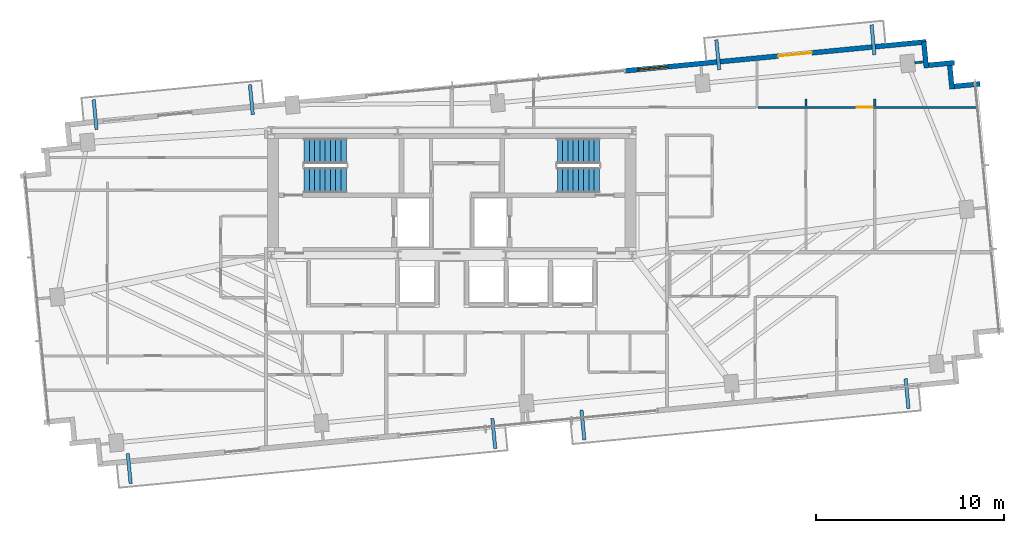
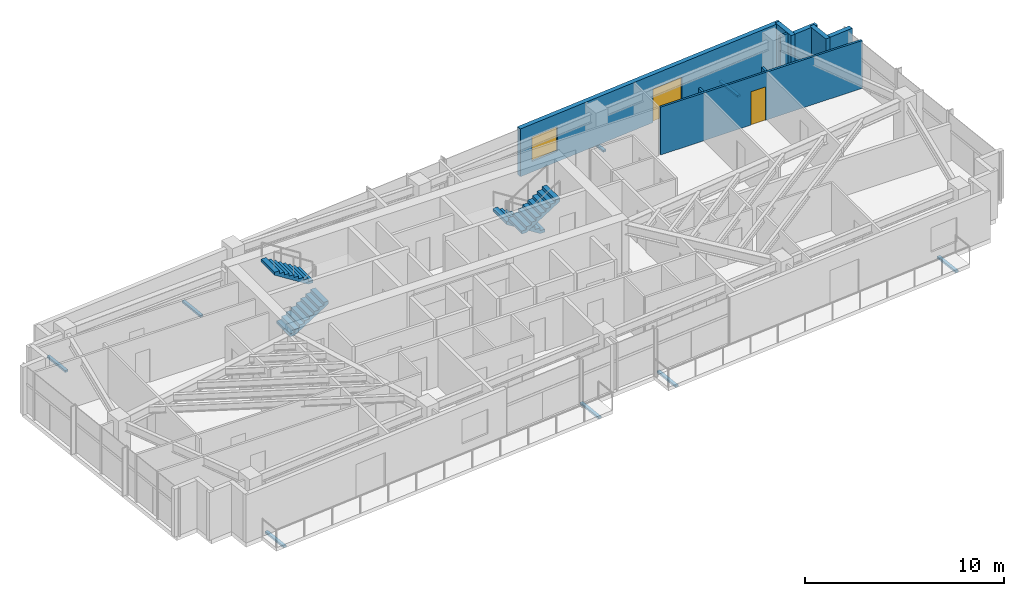
# One storey, part 16 of 18: 9 walls, 8 discrete accessories, 4 stair flights, 2 doors, 1 window, 3 openings, 2 elements without a shape of their own.
"""IFC4 building model written with IfcOpenShell, lengths in metres."""

from ifc_helpers import new_model, si_unit, direction, frame, frame_2d, origin, origin_2d, place, context, subcontext, project, spatial, polyline, rectangle, outline, extrude, source, transform, mapped, material, layer, layer_set, type_object, type_shapes, element, fill, aggregate, save


model = new_model("IFC4")

# Units and contexts
model_context = context("Model", 3, precision=1e-05, world=origin(), true_north=direction((0.0, 1.0)))
body_context = subcontext(model_context, "Body", "Model", "MODEL_VIEW")
ifc_project = project(units=[si_unit("LENGTHUNIT", "METRE"), si_unit("AREAUNIT", "SQUARE_METRE"), si_unit("VOLUMEUNIT", "CUBIC_METRE"), si_unit("PLANEANGLEUNIT", "RADIAN"), si_unit("MASSUNIT", "GRAM", prefix="KILO")], contexts=[model_context])

# Site, building, storey
site_placement = place(None, origin())
site = spatial("IfcSite", under=ifc_project, at=site_placement, CompositionType="ELEMENT")
building_placement = place(site_placement, origin())
building = spatial("IfcBuilding", under=site, at=building_placement, Name="Astriad Promenade Condominiums", CompositionType="ELEMENT")
storey_placement = place(building_placement, frame((0.0, 0.0, 185.800048828125)))
storey = spatial("IfcBuildingStorey", under=building, at=storey_placement, Name="L53", CompositionType="ELEMENT", Elevation=185.800048828125)

# Wall, openings, door, window
ifc_material_1 = material(Name="Precast concrete C50/60", Category="concrete")
ifc_layer_1 = layer(ifc_material_1, 0.260009765625)
ifc_layer_set_1 = layer_set([ifc_layer_1], Name="Precast concrete C50/60")
wall_type_1 = type_object("IfcWallType", Name="WALL-EXT-TWR-260", PredefinedType="STANDARD", material=ifc_layer_set_1)
wall_1_placement = place(storey_placement, frame((45.198974609375, 27.189697265625, 0.0), z_axis=(0.0, 0.0, 1.0), x_axis=(0.995397074604, 0.095836652014, 0.0)))
wall_1 = element("IfcWall", 1, at=wall_1_placement, inside=storey, type_object=wall_type_1, Name="W-EXT-L53-N2", PredefinedType="STANDARD", context=body_context, shape_type="SweptSolid", body=[
    extrude(rectangle(XDim=16.10009765625, YDim=0.260009765625, at=frame_2d((8.050048828125, 0.0))), origin(), (0.0, 0.0, 1.0), 2.93994140625),
])
opening_1_placement = place(wall_1_placement, frame((8.18994140625, 0.0, 0.0)))
opening_1 = element("IfcOpeningElement", 2, at=opening_1_placement, cuts=wall_1, Name="Opening BD-1822-SLD", PredefinedType="OPENING", context=body_context, shape_type="SweptSolid", body=[
    extrude(rectangle(XDim=1.800048828125, YDim=2.06005859375, at=frame_2d((0.89990234375, 1.030029296875))), frame((0.0, 0.139892578125, 0.0), z_axis=(0.0, -1.0, 0.0), x_axis=(1.0, 0.0, 0.0)), (0.0, 0.0, 1.0), 0.280029296875),
])
opening_2_placement = place(wall_1_placement, frame((0.699951171875, 0.0, 0.64990234375)))
opening_2 = element("IfcOpeningElement", 3, at=opening_2_placement, cuts=wall_1, Name="Opening WIN-TWR-1620", PredefinedType="OPENING", context=body_context, shape_type="SweptSolid", body=[
    extrude(rectangle(XDim=1.60009765625, YDim=1.5, at=frame_2d((0.800048828125, 0.75))), frame((0.0, 0.139892578125, 0.0), z_axis=(0.0, -1.0, 0.0), x_axis=(1.0, 0.0, 0.0)), (0.0, 0.0, 1.0), 0.280029296875),
])
ifc_material_2 = material(Name="Thermally Broken Aluminium Sliding Balcony Door", Category="aluminium")
door_type_1 = type_object("IfcDoorType", Name="BD-1822-SLD", OperationType="NOTDEFINED", PredefinedType="DOOR", material=ifc_material_2)
shared_shape_1 = source(origin(), body_context, "Body", "SweptSolid", [
    extrude(rectangle(XDim=1.800048828125, YDim=2.06005859375, at=frame_2d((0.89990234375, 1.030029296875))), frame((0.0, 0.02490234375, 0.0), z_axis=(0.0, -1.0, 0.0), x_axis=(1.0, 0.0, 0.0)), (0.0, 0.0, 1.0), 0.050048828125),
])
type_shapes(door_type_1, [shared_shape_1])
door_1_placement = place(opening_1_placement, origin())
door_1 = element("IfcDoor", 4, at=door_1_placement, inside=storey, type_object=door_type_1, Name="BD-L53-NE", OperationType="SLIDING_TO_RIGHT", OverallHeight=2.06005859375, OverallWidth=1.800048828125, PredefinedType="DOOR", context=body_context, shape_type="MappedRepresentation", body=[
    mapped(shared_shape_1, transform((0.0, 0.0, 0.0), scale=1.0)),
])
fill(opening_1, door_1)
ifc_material_3 = material(Name="Dark Tinted Triple-Glazed Aluminium Window", Category="aluminium")
window_type = type_object("IfcWindowType", Name="WIN-TWR-1620", PartitioningType="SINGLE_PANEL", PredefinedType="WINDOW", material=ifc_material_3)
shared_shape_2 = source(origin(), body_context, "Body", "SweptSolid", [
    extrude(rectangle(XDim=1.60009765625, YDim=1.5, at=frame_2d((0.800048828125, 0.75))), frame((0.0, 0.030029296875, 0.0), z_axis=(0.0, -1.0, 0.0), x_axis=(1.0, 0.0, 0.0)), (0.0, 0.0, 1.0), 0.06005859375),
])
type_shapes(window_type, [shared_shape_2])
window_placement = place(opening_2_placement, origin())
window = element("IfcWindow", 5, at=window_placement, inside=storey, type_object=window_type, Name="WIN-L53-NE", OverallHeight=1.5, OverallWidth=1.60009765625, PartitioningType="SINGLE_PANEL", PredefinedType="WINDOW", context=body_context, shape_type="MappedRepresentation", body=[
    mapped(shared_shape_2, transform((0.0, 0.0, 0.0), scale=1.0)),
])
fill(opening_2, window)

# Walls
wall_2_placement = place(storey_placement, frame((61.093994140625, 28.735107421875, 0.0), z_axis=(0.0, 0.0, 1.0), x_axis=(0.095742423056, -0.99540614245, 0.0)))
element("IfcWall", 6, at=wall_2_placement, inside=storey, type_object=wall_type_1, Name="W-SER-L53-09", PredefinedType="STANDARD", context=body_context, shape_type="SweptSolid", body=[
    extrude(rectangle(XDim=1.394775390625, YDim=0.260009765625, at=frame_2d((0.697265625, 0.0))), origin(), (0.0, 0.0, 1.0), 2.93994140625),
])
wall_3_placement = place(storey_placement, frame((61.32958984375, 27.487060546875, 0.0), z_axis=(0.0, 0.0, 1.0), x_axis=(0.995391056452, 0.09589913835, 0.0)))
element("IfcWall", 7, at=wall_3_placement, inside=storey, type_object=wall_type_1, Name="W-SER-L53-10", PredefinedType="STANDARD", context=body_context, shape_type="SweptSolid", body=[
    extrude(rectangle(XDim=1.39501953125, YDim=0.260009765625, at=frame_2d((0.697509765625, 0.0))), origin(), (0.0, 0.0, 1.0), 2.93994140625),
])
for number, where, z_axis, x_axis, name in (
    (8, (62.4580078125, 27.610595703125, 0.0), (0.0, 0.0, 1.0), (0.095915846097, -0.995389446633, 0.0), "W-SER-L53-11"),
    (9, (62.69384765625, 26.362548828125, 0.0), (0.0, 0.0, 1.0), (0.995389446633, 0.095915846097, 0.0), "W-SER-L53-12"),
):
    element("IfcWall", number, at=place(storey_placement, frame(where, z_axis=z_axis, x_axis=x_axis)), inside=storey, type_object=wall_type_1, Name=name, PredefinedType="STANDARD", context=body_context, shape_type="SweptSolid", body=[
        extrude(rectangle(XDim=1.394775390625, YDim=0.260009765625, at=frame_2d((0.697265625, 0.0))), origin(), (0.0, 0.0, 1.0), 2.93994140625),
    ])

# Wall, opening, door
ifc_material_4 = material(Name="Acoustic Metal-Stud Gypsum Partition")
ifc_layer_2 = layer(ifc_material_4, 0.1201171875)
ifc_layer_set_2 = layer_set([ifc_layer_2], Name="Acoustic Metal-Stud Gypsum Partition")
wall_type_2 = type_object("IfcWallType", Name="WALL-PART-120", PredefinedType="PARTITIONING", material=ifc_layer_set_2)
wall_4_placement = place(storey_placement, frame((52.280029296875, 25.2470703125, 0.0), z_axis=(0.0, 0.0, 1.0), x_axis=(1.0, 0.0, 0.0)))
wall_4 = element("IfcWall", 10, at=wall_4_placement, inside=storey, type_object=wall_type_2, Name="PT-L53-E2-B1-S3", PredefinedType="PARTITIONING", context=body_context, shape_type="SweptSolid", body=[
    extrude(rectangle(XDim=11.711669921875, YDim=0.1201171875, at=frame_2d((5.85595703125, 0.0))), origin(), (0.0, 0.0, 1.0), 2.93994140625),
])
opening_3_placement = place(wall_4_placement, frame((5.2470703125, 0.0, 0.0)))
opening_3 = element("IfcOpeningElement", 11, at=opening_3_placement, cuts=wall_4, Name="Opening D-INT-085", PredefinedType="OPENING", context=body_context, shape_type="SweptSolid", body=[
    extrude(rectangle(XDim=0.85009765625, YDim=2.050048828125, at=frame_2d((0.425048828125, 1.02490234375))), frame((0.0, 0.070068359375, 0.0), z_axis=(0.0, -1.0, 0.0), x_axis=(1.0, 0.0, 0.0)), (0.0, 0.0, 1.0), 0.14013671875),
])
ifc_material_5 = material(Name="Painted Solid-Core Timber Room Door", Category="wood")
door_type_2 = type_object("IfcDoorType", Name="D-INT-085", OperationType="NOTDEFINED", PredefinedType="DOOR", material=ifc_material_5)
shared_shape_3 = source(origin(), body_context, "Body", "SweptSolid", [
    extrude(rectangle(XDim=0.85009765625, YDim=2.050048828125, at=frame_2d((0.425048828125, 1.02490234375))), frame((0.0, 0.02490234375, 0.0), z_axis=(0.0, -1.0, 0.0), x_axis=(1.0, 0.0, 0.0)), (0.0, 0.0, 1.0), 0.050048828125),
])
type_shapes(door_type_2, [shared_shape_3])
door_2_placement = place(opening_3_placement, origin())
door_2 = element("IfcDoor", 12, at=door_2_placement, inside=storey, type_object=door_type_2, Name="D-BD1B-L53-E2", OperationType="SINGLE_SWING_RIGHT", OverallHeight=2.050048828125, OverallWidth=0.85009765625, PredefinedType="DOOR", context=body_context, shape_type="MappedRepresentation", body=[
    mapped(shared_shape_3, transform((0.0, 0.0, 0.0), scale=1.0)),
])
fill(opening_3, door_2)

# Walls
for number, where, z_axis, x_axis, name in (
    (13, (58.488037109375, 25.30908203125, 0.0), (0.0, 0.0, 1.0), (0.0, 1.0, 0.0), "PT-L53-E2-WDV1-S2"),
    (14, (54.824951171875, 25.30908203125, 0.0), (0.0, 0.0, 1.0), (0.0, 1.0, 0.0), "PT-L53-E2-WDV2-S2"),
):
    element("IfcWall", number, at=place(storey_placement, frame(where, z_axis=z_axis, x_axis=x_axis)), inside=storey, type_object=wall_type_2, Name=name, PredefinedType="PARTITIONING", context=body_context, shape_type="SweptSolid", body=[
        extrude(rectangle(XDim=0.3779296875, YDim=0.1201171875, at=frame_2d((0.18896484375, 0.0))), origin(), (0.0, 0.0, 1.0), 2.93994140625),
    ])
wall_5_placement = place(storey_placement, frame((60.60888671875, 27.618408203125, 0.0), z_axis=(0.0, 0.0, 1.0), x_axis=(0.995384576284, 0.09596637586, 0.0)))
element("IfcWall", 15, at=wall_5_placement, inside=storey, type_object=wall_type_2, Name="PT-PIL-L53-PC10-17", PredefinedType="PARTITIONING", context=body_context, shape_type="SweptSolid", body=[
    extrude(rectangle(XDim=0.4580078125, YDim=0.1201171875, at=frame_2d((0.22900390625, 0.0))), origin(), (0.0, 0.0, 1.0), 2.93994140625),
])

# Stair, stair flights
ifc_material_6 = material(Name="Concrete C50/60", Category="concrete")
stair_type = type_object("IfcStairType", Name="STR-CORE-1350", PredefinedType="HALF_TURN_STAIR", material=ifc_material_6)
stair_1_placement = place(storey_placement, origin())
stair_1 = element("IfcStair", 16, at=stair_1_placement, inside=storey, type_object=stair_type, Name="L53 Enclosed Core Exit Stair ST-1", PredefinedType="HALF_TURN_STAIR")
stair_flight_type = type_object("IfcStairFlightType", Name="SFL-CORE-1350", PredefinedType="STRAIGHT", material=ifc_material_6)
shared_shape_4 = source(origin(), body_context, "Body", "SweptSolid", [
    extrude(outline(polyline([(0.0, 0.0), (0.0, 0.177734375), (0.280029296875, 0.177734375), (0.280029296875, 0.35546875), (0.56005859375, 0.35546875), (0.56005859375, 0.533447265625), (0.840087890625, 0.533447265625), (0.840087890625, 0.711181640625), (1.1201171875, 0.711181640625), (1.1201171875, 0.888916015625), (1.39990234375, 0.888916015625), (1.39990234375, 1.066650390625), (1.679931640625, 1.066650390625), (1.679931640625, 1.244384765625), (1.9599609375, 1.244384765625), (1.9599609375, 1.422119140625), (2.239990234375, 1.422119140625), (2.239990234375, 1.60009765625), (2.239990234375, 1.24462890625), (0.27978515625, 0.0), (0.0, 0.0)])), frame((0.0, 0.675048828125, 0.0), z_axis=(0.0, -1.0, 0.0), x_axis=(1.0, 0.0, 0.0)), (0.0, 0.0, 1.0), 1.35009765625),
])
type_shapes(stair_flight_type, [shared_shape_4])
stair_flight_1_placement = place(storey_placement, frame((28.14990234375, 21.375, 0.0), z_axis=(0.0, 0.0, 1.0), x_axis=(1.0, 0.0, 0.0)))
stair_flight_1 = element("IfcStairFlight", 17, at=stair_flight_1_placement, type_object=stair_flight_type, Name="ST-1 flight 1", NumberOfRisers=9, NumberOfTreads=8, PredefinedType="STRAIGHT", RiserHeight=0.177777778, TreadLength=0.28, context=body_context, shape_type="MappedRepresentation", body=[
    mapped(shared_shape_4, transform((0.0, 0.0, 0.0), scale=1.0)),
])
stair_flight_2_placement = place(storey_placement, frame((30.389892578125, 22.925048828125, 1.599853515625), z_axis=(0.0, 0.0, 1.0), x_axis=(-1.0, 0.0, 0.0)))
stair_flight_2 = element("IfcStairFlight", 18, at=stair_flight_2_placement, type_object=stair_flight_type, Name="ST-1 flight 2", NumberOfRisers=9, NumberOfTreads=8, PredefinedType="STRAIGHT", RiserHeight=0.177777778, TreadLength=0.28, context=body_context, shape_type="MappedRepresentation", body=[
    mapped(shared_shape_4, transform((0.0, 0.0, 0.0), scale=1.0)),
])
aggregate(stair_1, [stair_flight_1, stair_flight_2])

stair_2_placement = place(storey_placement, origin())
stair_2 = element("IfcStair", 19, at=stair_2_placement, inside=storey, type_object=stair_type, Name="L53 Enclosed Core Exit Stair ST-2", PredefinedType="HALF_TURN_STAIR")
stair_flight_3_placement = place(storey_placement, frame((43.85009765625, 22.925048828125, 0.0), z_axis=(0.0, 0.0, 1.0), x_axis=(-1.0, 0.0, 0.0)))
stair_flight_3 = element("IfcStairFlight", 20, at=stair_flight_3_placement, type_object=stair_flight_type, Name="ST-2 flight 1", NumberOfRisers=9, NumberOfTreads=8, PredefinedType="STRAIGHT", RiserHeight=0.177777778, TreadLength=0.28, context=body_context, shape_type="MappedRepresentation", body=[
    mapped(shared_shape_4, transform((0.0, 0.0, 0.0), scale=1.0)),
])
stair_flight_4_placement = place(storey_placement, frame((41.610107421875, 21.375, 1.599853515625), z_axis=(0.0, 0.0, 1.0), x_axis=(1.0, 0.0, 0.0)))
stair_flight_4 = element("IfcStairFlight", 21, at=stair_flight_4_placement, type_object=stair_flight_type, Name="ST-2 flight 2", NumberOfRisers=9, NumberOfTreads=8, PredefinedType="STRAIGHT", RiserHeight=0.177777778, TreadLength=0.28, context=body_context, shape_type="MappedRepresentation", body=[
    mapped(shared_shape_4, transform((0.0, 0.0, 0.0), scale=1.0)),
])
aggregate(stair_2, [stair_flight_3, stair_flight_4])

# Discrete accessories
ifc_material_7 = material(Name="Steel ASTM A572 Grade 50", Category="steel")
discrete_accessory_type = type_object("IfcDiscreteAccessoryType", Name="STEEL BALCONY OUTRIGGER BRACKET", PredefinedType="BRACKET", material=ifc_material_7)
shared_shape_5 = source(origin(), body_context, "Body", "SweptSolid", [
    extrude(rectangle(XDim=1.60009765625, YDim=0.179931640625, at=origin_2d()), origin(), (0.0, 0.0, 1.0), 0.1220703125),
])
type_shapes(discrete_accessory_type, [shared_shape_5])
for number, where, z_axis, x_axis, name in (
    (22, (18.85205078125, 6.047119140625, -0.340087890625), (0.0, 0.0, 1.0), (0.09584575252, -0.995396198367, 0.0), "Balcony Outrigger Bracket BAL-L53-SW-A"),
    (23, (38.232421875, 7.9130859375, -0.340087890625), (0.0, 0.0, 1.0), (0.09584575252, -0.995396198367, 0.0), "Balcony Outrigger Bracket BAL-L53-SW-B"),
    (24, (42.969482421875, 8.369384765625, -0.340087890625), (0.0, 0.0, 1.0), (0.09584575252, -0.995396198367, 0.0), "Balcony Outrigger Bracket BAL-L53-SE-A"),
    (25, (60.201904296875, 10.028564453125, -0.340087890625), (0.0, 0.0, 1.0), (0.09584575252, -0.995396198367, 0.0), "Balcony Outrigger Bracket BAL-L53-SE-B"),
    (26, (17.04052734375, 24.860107421875, -0.340087890625), (0.0, 0.0, 1.0), (-0.09584575252, 0.995396198367, 0.0), "Balcony Outrigger Bracket BAL-L53-NW-A"),
    (27, (25.34423828125, 25.659423828125, -0.340087890625), (0.0, 0.0, 1.0), (-0.09584575252, 0.995396198367, 0.0), "Balcony Outrigger Bracket BAL-L53-NW-B"),
    (28, (50.139404296875, 28.047119140625, -0.340087890625), (0.0, 0.0, 1.0), (-0.09584575252, 0.995396198367, 0.0), "Balcony Outrigger Bracket BAL-L53-NE-A"),
    (29, (58.390380859375, 28.841552734375, -0.340087890625), (0.0, 0.0, 1.0), (-0.09584575252, 0.995396198367, 0.0), "Balcony Outrigger Bracket BAL-L53-NE-B"),
):
    element("IfcDiscreteAccessory", number, at=place(storey_placement, frame(where, z_axis=z_axis, x_axis=x_axis)), inside=storey, type_object=discrete_accessory_type, Name=name, PredefinedType="BRACKET", context=body_context, shape_type="MappedRepresentation", body=[
        mapped(shared_shape_5, transform((0.0, 0.0, 0.0), scale=1.0)),
    ])

save(model, "model.ifc")
